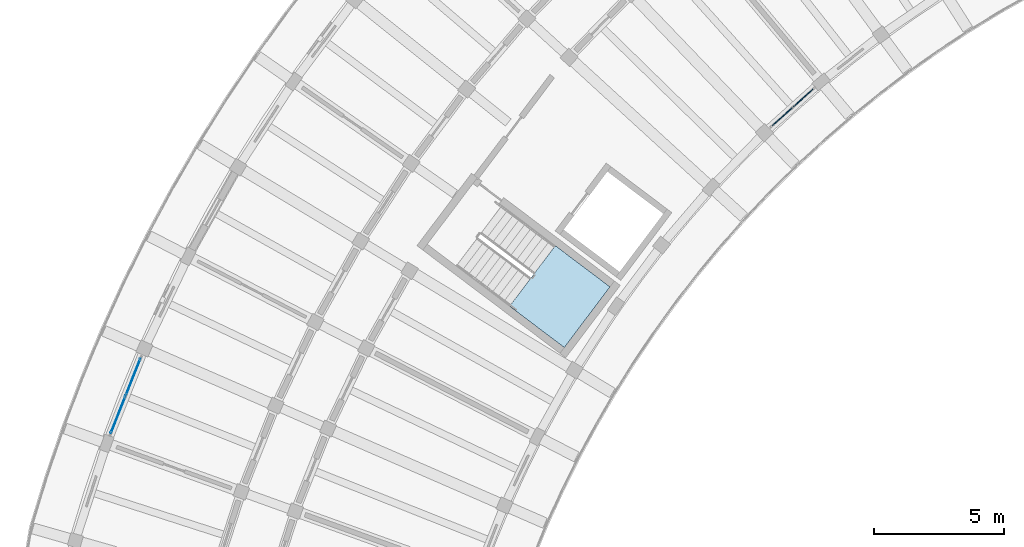
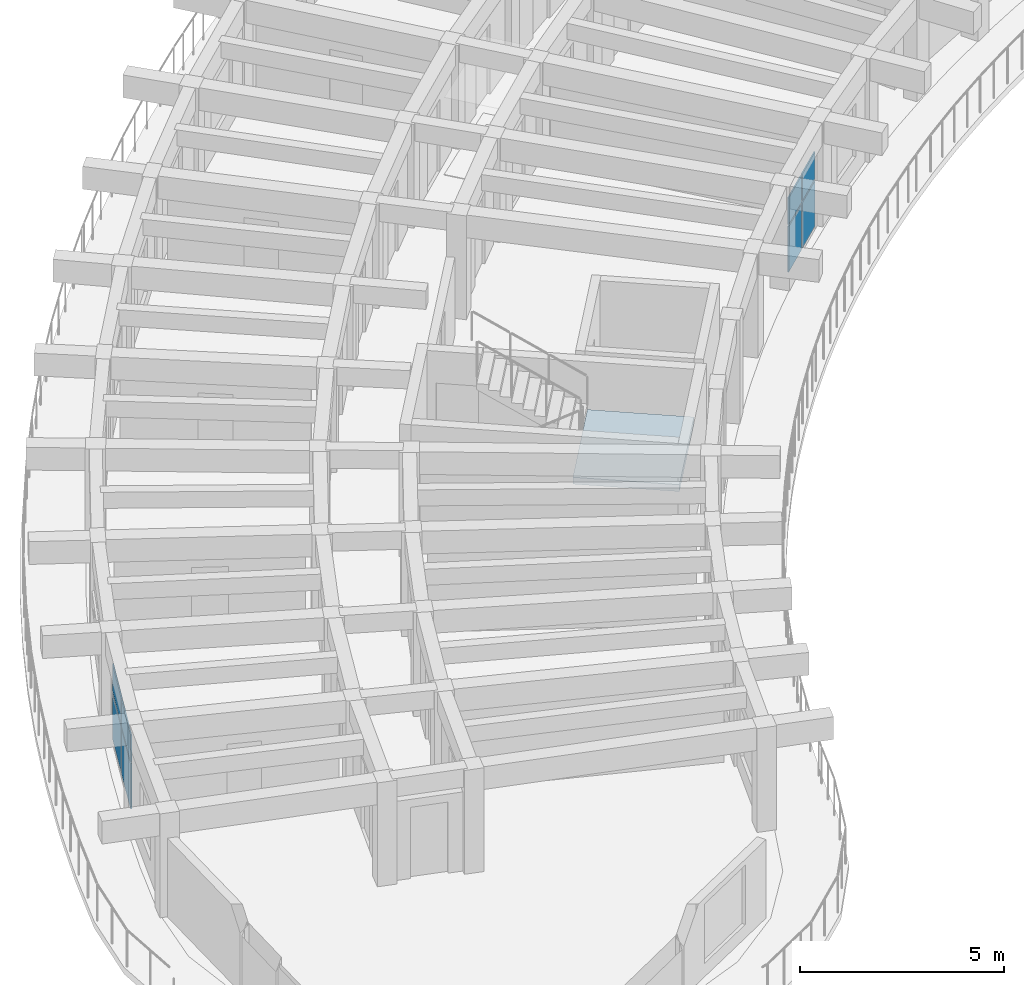
# One storey, part 34 of 83: 8 plates, 1 slab, 3 elements without a shape of their own.
"""IFC4 building model written with IfcOpenShell, lengths in metres."""

from ifc_helpers import new_model, si_unit, direction, frame, origin, origin_2d, place, context, subcontext, project, spatial, polyline, rectangle, outline, extrude, material, layer, layer_set, type_object, element, aggregate, save


model = new_model("IFC4")

# Units and contexts
model_context = context("Model", 3, precision=1e-05, world=origin(), true_north=direction((0.0, 1.0)))
body_context = subcontext(model_context, "Body", "Model", "MODEL_VIEW")
ifc_project = project(units=[si_unit("LENGTHUNIT", "METRE"), si_unit("AREAUNIT", "SQUARE_METRE"), si_unit("VOLUMEUNIT", "CUBIC_METRE"), si_unit("PLANEANGLEUNIT", "RADIAN"), si_unit("MASSUNIT", "GRAM", prefix="KILO")], contexts=[model_context])

# Site, building, storey
site_placement = place(None, origin())
site = spatial("IfcSite", under=ifc_project, at=site_placement, CompositionType="ELEMENT")
building_placement = place(site_placement, origin())
building = spatial("IfcBuilding", under=site, at=building_placement, Name="Tanwirah Colonnade Gardens", CompositionType="ELEMENT")
storey_placement = place(building_placement, frame((0.0, 0.0, 25.639892578125)))
storey = spatial("IfcBuildingStorey", under=building, at=storey_placement, Name="L07", CompositionType="ELEMENT", Elevation=25.639892578125)

# Curtain wall, plates
ifc_material_1 = material(Name="Bronze-anodised aluminium and solar-control low-E glass", Category="aluminium")
curtain_wall_type_1 = type_object("IfcCurtainWallType", Name="CW-GDN", PredefinedType="NOTDEFINED", material=ifc_material_1)
curtain_wall_1_placement = place(storey_placement, origin())
curtain_wall_1 = element("IfcCurtainWall", 1, at=curtain_wall_1_placement, inside=storey, type_object=curtain_wall_type_1, Name="Curtain Wall CW-A-L07-IN-09", PredefinedType="NOTDEFINED")
ifc_material_2 = material(Name="Insulated bronze aluminium spandrel panel", Category="aluminium")
ifc_layer_1 = layer(ifc_material_2, 0.035888671875)
ifc_layer_set_1 = layer_set([ifc_layer_1], Name="Insulated bronze aluminium spandrel panel")
plate_type = type_object("IfcPlateType", Name="CWP-SPN36", PredefinedType="CURTAIN_PANEL", material=ifc_layer_set_1)
plate_1_placement = place(storey_placement, frame((35.736572265625, 93.630615234375, 0.06494140625), z_axis=(0.0, 0.0, 1.0), x_axis=(-0.744440162253, -0.667689182798, 0.0)))
plate_1 = element("IfcPlate", 2, at=plate_1_placement, type_object=plate_type, Name="CW-GDN panel 1.1", PredefinedType="CURTAIN_PANEL", context=body_context, shape_type="SweptSolid", body=[
    extrude(rectangle(XDim=1.007568359375, YDim=0.035888671875, at=origin_2d()), origin(), (0.0, 0.0, 1.0), 1.362548828125),
])
plate_2_placement = place(storey_placement, frame((35.736572265625, 93.630615234375, 1.49267578125), z_axis=(0.0, 0.0, 1.0), x_axis=(-0.744440162253, -0.667689182798, 0.0)))
plate_2 = element("IfcPlate", 3, at=plate_2_placement, type_object=plate_type, Name="CW-GDN panel 1.2", PredefinedType="CURTAIN_PANEL", context=body_context, shape_type="SweptSolid", body=[
    extrude(rectangle(XDim=1.007568359375, YDim=0.035888671875, at=origin_2d()), origin(), (0.0, 0.0, 1.0), 0.79736328125),
])
plate_3_placement = place(storey_placement, frame((34.938232421875, 92.914306640625, 0.06494140625), z_axis=(0.0, 0.0, 1.0), x_axis=(-0.744440162253, -0.667689182798, 0.0)))
plate_3 = element("IfcPlate", 4, at=plate_3_placement, type_object=plate_type, Name="CW-GDN panel 2.1", PredefinedType="CURTAIN_PANEL", context=body_context, shape_type="SweptSolid", body=[
    extrude(rectangle(XDim=1.007568359375, YDim=0.035888671875, at=origin_2d()), origin(), (0.0, 0.0, 1.0), 1.362548828125),
])
plate_4_placement = place(storey_placement, frame((34.938232421875, 92.914306640625, 1.49267578125), z_axis=(0.0, 0.0, 1.0), x_axis=(-0.744440162253, -0.667689182798, 0.0)))
plate_4 = element("IfcPlate", 5, at=plate_4_placement, type_object=plate_type, Name="CW-GDN panel 2.2", PredefinedType="CURTAIN_PANEL", context=body_context, shape_type="SweptSolid", body=[
    extrude(rectangle(XDim=1.007568359375, YDim=0.035888671875, at=origin_2d()), origin(), (0.0, 0.0, 1.0), 0.79736328125),
])
aggregate(curtain_wall_1, [plate_1, plate_2, plate_3, plate_4])

curtain_wall_type_2 = type_object("IfcCurtainWallType", Name="CW-LOB", PredefinedType="NOTDEFINED", material=ifc_material_1)
curtain_wall_2_placement = place(storey_placement, origin())
curtain_wall_2 = element("IfcCurtainWall", 6, at=curtain_wall_2_placement, inside=storey, type_object=curtain_wall_type_2, Name="Curtain Wall CW-A-L07-OUT-16", PredefinedType="NOTDEFINED")
plate_5_placement = place(storey_placement, frame((9.977294921875, 82.904052734375, 0.06494140625), z_axis=(0.0, 0.0, 1.0), x_axis=(-0.369207655713, -0.929346924976, 0.0)))
plate_5 = element("IfcPlate", 7, at=plate_5_placement, type_object=plate_type, Name="CW-LOB panel 1.1", PredefinedType="CURTAIN_PANEL", context=body_context, shape_type="SweptSolid", body=[
    extrude(rectangle(XDim=1.50537109375, YDim=0.035888671875, at=origin_2d()), origin(), (0.0, 0.0, 1.0), 1.362548828125),
])
plate_6_placement = place(storey_placement, frame((9.977294921875, 82.904052734375, 1.49267578125), z_axis=(0.0, 0.0, 1.0), x_axis=(-0.369207655713, -0.929346924976, 0.0)))
plate_6 = element("IfcPlate", 8, at=plate_6_placement, type_object=plate_type, Name="CW-LOB panel 1.2", PredefinedType="CURTAIN_PANEL", context=body_context, shape_type="SweptSolid", body=[
    extrude(rectangle(XDim=1.50537109375, YDim=0.035888671875, at=origin_2d()), origin(), (0.0, 0.0, 1.0), 0.79736328125),
])
plate_7_placement = place(storey_placement, frame((9.3974609375, 81.444580078125, 0.06494140625), z_axis=(0.0, 0.0, 1.0), x_axis=(-0.369207655713, -0.929346924976, 0.0)))
plate_7 = element("IfcPlate", 9, at=plate_7_placement, type_object=plate_type, Name="CW-LOB panel 2.1", PredefinedType="CURTAIN_PANEL", context=body_context, shape_type="SweptSolid", body=[
    extrude(rectangle(XDim=1.50537109375, YDim=0.035888671875, at=origin_2d()), origin(), (0.0, 0.0, 1.0), 1.362548828125),
])
plate_8_placement = place(storey_placement, frame((9.3974609375, 81.444580078125, 1.49267578125), z_axis=(0.0, 0.0, 1.0), x_axis=(-0.369207655713, -0.929346924976, 0.0)))
plate_8 = element("IfcPlate", 10, at=plate_8_placement, type_object=plate_type, Name="CW-LOB panel 2.2", PredefinedType="CURTAIN_PANEL", context=body_context, shape_type="SweptSolid", body=[
    extrude(rectangle(XDim=1.50537109375, YDim=0.035888671875, at=origin_2d()), origin(), (0.0, 0.0, 1.0), 0.79736328125),
])
aggregate(curtain_wall_2, [plate_5, plate_6, plate_7, plate_8])

# Stair, slab
ifc_material_3 = material(Name="Precast concrete C40/50", Category="concrete")
stair_type = type_object("IfcStairType", Name="ST-RES168", PredefinedType="HALF_TURN_STAIR", material=ifc_material_3)
stair_placement = place(storey_placement, origin())
stair = element("IfcStair", 11, at=stair_placement, inside=storey, type_object=stair_type, Name="L07 Block A Core 2 Exit Stair", PredefinedType="HALF_TURN_STAIR")
ifc_layer_2 = layer(ifc_material_3, 0.205078125)
ifc_layer_set_2 = layer_set([ifc_layer_2], Name="Precast concrete C40/50")
slab_type = type_object("IfcSlabType", Name="SL-LND-205", PredefinedType="LANDING", material=ifc_layer_set_2)
slab_placement = place(storey_placement, frame((0.0, 0.0, 1.47509765625)))
slab = element("IfcSlab", 12, at=slab_placement, type_object=slab_type, Name="ST-A2 landing 1", PredefinedType="LANDING", context=body_context, shape_type="SweptSolid", body=[
    extrude(outline(polyline([(24.44970703125, 85.623046875), (26.553955078125, 84.037353515625), (28.311279296875, 86.369384765625), (26.20703125, 87.955078125), (24.44970703125, 85.623046875)])), origin(), (0.0, 0.0, 1.0), 0.205078125),
])
aggregate(stair, [slab])

save(model, "model.ifc")
